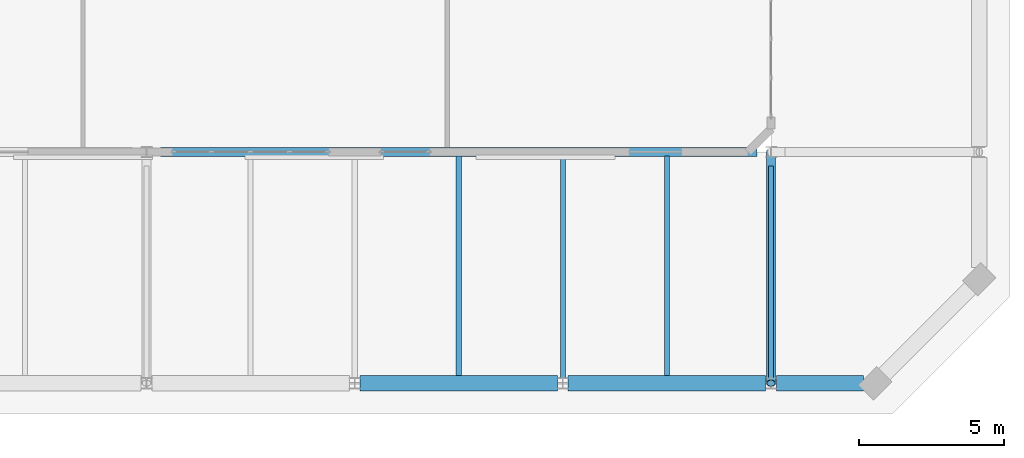
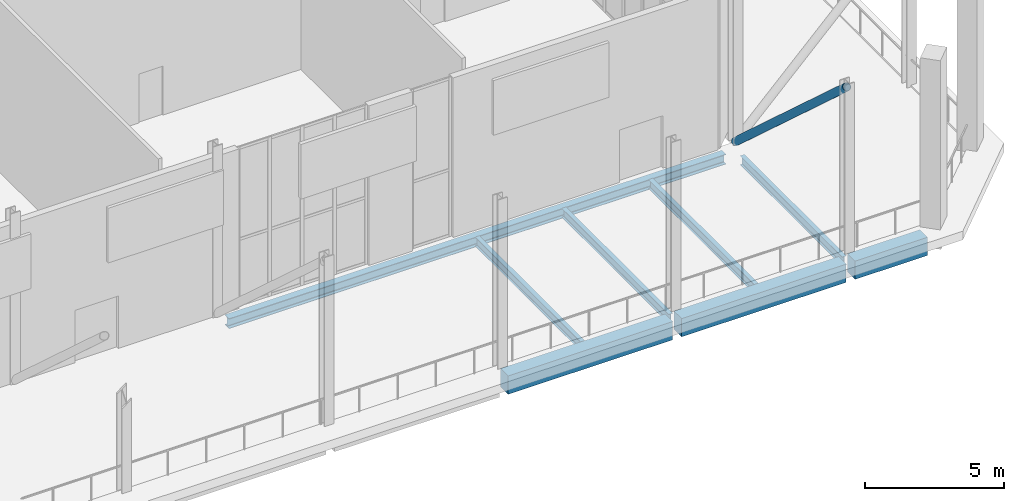
# One storey, part 15 of 23: 8 beams, 1 member.
"""IFC4 building model written with IfcOpenShell, lengths in metres."""

from ifc_helpers import new_model, si_unit, direction, frame, origin, origin_2d, place, context, subcontext, project, spatial, rectangle, hollow_circle, i_section, extrude, material, material_profile, profile_set, type_object, element, save


model = new_model("IFC4")

# Units and contexts
model_context = context("Model", 3, precision=1e-05, world=origin(), true_north=direction((0.0, 1.0)))
body_context = subcontext(model_context, "Body", "Model", "MODEL_VIEW")
ifc_project = project(units=[si_unit("LENGTHUNIT", "METRE"), si_unit("AREAUNIT", "SQUARE_METRE"), si_unit("VOLUMEUNIT", "CUBIC_METRE"), si_unit("PLANEANGLEUNIT", "RADIAN"), si_unit("MASSUNIT", "GRAM", prefix="KILO")], contexts=[model_context])

# Site, building, storey
site_placement = place(None, origin())
site = spatial("IfcSite", under=ifc_project, at=site_placement, CompositionType="ELEMENT")
building_placement = place(site_placement, origin())
building = spatial("IfcBuilding", under=site, at=building_placement, Name="Kaelvorn Grand Hotel", CompositionType="ELEMENT")
storey_placement = place(building_placement, frame((0.0, 0.0, 310.699951171875)))
storey = spatial("IfcBuildingStorey", under=building, at=storey_placement, Name="L75", CompositionType="ELEMENT", Elevation=310.699951171875)

# Beams
ifc_material_1 = material(Name="Steel S355", Category="steel")
ifc_material_profile_1 = material_profile(ifc_material_1, i_section(OverallWidth=0.300048828125, OverallDepth=0.43994140625, WebThickness=0.011474609375, FlangeThickness=0.02099609375, FilletRadius=0.027099609375, at=origin_2d()), Name="HEA 450")
ifc_profile_set_1 = profile_set([ifc_material_profile_1], Name="Steel S355")
beam_type_1 = type_object("IfcBeamType", Name="BM-G-HEA450-S355", PredefinedType="BEAM", material=ifc_profile_set_1)
beam_1_placement = place(storey_placement, frame((46.68505859375, 15.0, -0.52001953125), z_axis=(1.0, 0.0, 0.0), x_axis=(0.0, 1.0, 0.0)))
element("IfcBeam", 1, at=beam_1_placement, inside=storey, type_object=beam_type_1, Name="L75 Primary Spine Steel Girder G-15 04", PredefinedType="BEAM", context=body_context, shape_type="SweptSolid", body=[
    extrude(i_section(OverallWidth=0.300048828125, OverallDepth=0.43994140625, WebThickness=0.011474609375, FlangeThickness=0.02099609375, FilletRadius=0.027099609375, at=origin_2d()), origin(), (0.0, 0.0, 1.0), 20.6298828125),
])
ifc_material_profile_2 = material_profile(ifc_material_1, i_section(OverallWidth=0.179931640625, OverallDepth=0.39990234375, WebThickness=0.008544921875, FlangeThickness=0.013427734375, FilletRadius=0.02099609375, at=origin_2d()), Name="IPE 400")
ifc_profile_set_2 = profile_set([ifc_material_profile_2], Name="Steel S355")
beam_type_2 = type_object("IfcBeamType", Name="BM-J-IPE400-S355", PredefinedType="JOIST", material=ifc_profile_set_2)
beam_2_placement = place(storey_placement, frame((57.0, 7.260009765625, -0.5), z_axis=(0.0, 1.0, 0.0), x_axis=(-1.0, 0.0, 0.0)))
element("IfcBeam", 2, at=beam_2_placement, inside=storey, type_object=beam_type_2, Name="L75 Composite Floor Joist JS-16", PredefinedType="JOIST", context=body_context, shape_type="SweptSolid", body=[
    extrude(i_section(OverallWidth=0.179931640625, OverallDepth=0.39990234375, WebThickness=0.008544921875, FlangeThickness=0.013427734375, FilletRadius=0.02099609375, at=origin_2d()), origin(), (0.0, 0.0, 1.0), 7.60498046875),
])
beam_3_placement = place(storey_placement, frame((60.60009765625, 7.18505859375, -0.5), z_axis=(0.0, 1.0, 0.0), x_axis=(-1.0, 0.0, 0.0)))
element("IfcBeam", 3, at=beam_3_placement, inside=storey, type_object=beam_type_2, Name="L75 Composite Floor Joist JS-17", PredefinedType="JOIST", context=body_context, shape_type="SweptSolid", body=[
    extrude(i_section(OverallWidth=0.179931640625, OverallDepth=0.39990234375, WebThickness=0.008544921875, FlangeThickness=0.013427734375, FilletRadius=0.02099609375, at=origin_2d()), origin(), (0.0, 0.0, 1.0), 7.679931640625),
])
beam_4_placement = place(storey_placement, frame((64.199951171875, 7.260009765625, -0.5), z_axis=(0.0, 1.0, 0.0), x_axis=(-1.0, 0.0, 0.0)))
element("IfcBeam", 4, at=beam_4_placement, inside=storey, type_object=beam_type_2, Name="L75 Composite Floor Joist JS-18", PredefinedType="JOIST", context=body_context, shape_type="SweptSolid", body=[
    extrude(i_section(OverallWidth=0.179931640625, OverallDepth=0.39990234375, WebThickness=0.008544921875, FlangeThickness=0.013427734375, FilletRadius=0.02099609375, at=origin_2d()), origin(), (0.0, 0.0, 1.0), 7.60498046875),
])
beam_5_placement = place(storey_placement, frame((67.800048828125, 7.18505859375, -0.5), z_axis=(0.0, 1.0, 0.0), x_axis=(-1.0, 0.0, 0.0)))
element("IfcBeam", 5, at=beam_5_placement, inside=storey, type_object=beam_type_2, Name="L75 Composite Floor Joist JS-19", PredefinedType="JOIST", context=body_context, shape_type="SweptSolid", body=[
    extrude(i_section(OverallWidth=0.179931640625, OverallDepth=0.39990234375, WebThickness=0.008544921875, FlangeThickness=0.013427734375, FilletRadius=0.02099609375, at=origin_2d()), origin(), (0.0, 0.0, 1.0), 7.329833984375),
])
ifc_material_2 = material(Name="Concrete C50/60", Category="concrete")
ifc_material_profile_3 = material_profile(ifc_material_2, rectangle(XDim=0.550048828125, YDim=0.800048828125, at=origin_2d()), Name="RC SPANDREL 550x800")
ifc_profile_set_3 = profile_set([ifc_material_profile_3], Name="Concrete C50/60")
beam_type_3 = type_object("IfcBeamType", Name="BM-SP-550x800-C50", PredefinedType="SPANDREL", material=ifc_profile_set_3)
for number, where, z_axis, x_axis, name in (
    (6, (53.5849609375, 7.0, -0.699951171875), (1.0, 0.0, 0.0), (0.0, 1.0, 0.0), "L75 South Perimeter Spandrel 07"),
    (7, (60.784912109375, 7.0, -0.699951171875), (1.0, 0.0, 0.0), (0.0, 1.0, 0.0), "L75 South Perimeter Spandrel 08"),
):
    element("IfcBeam", number, at=place(storey_placement, frame(where, z_axis=z_axis, x_axis=x_axis)), inside=storey, type_object=beam_type_3, Name=name, PredefinedType="SPANDREL", context=body_context, shape_type="SweptSolid", body=[
        extrude(rectangle(XDim=0.550048828125, YDim=0.800048828125, at=origin_2d()), origin(), (0.0, 0.0, 1.0), 6.830078125),
    ])
beam_6_placement = place(storey_placement, frame((67.985107421875, 7.0, -0.699951171875), z_axis=(1.0, 0.0, 0.0), x_axis=(0.0, 1.0, 0.0)))
element("IfcBeam", 8, at=beam_6_placement, inside=storey, type_object=beam_type_3, Name="L75 South Perimeter Spandrel 09", PredefinedType="SPANDREL", context=body_context, shape_type="SweptSolid", body=[
    extrude(rectangle(XDim=0.550048828125, YDim=0.800048828125, at=origin_2d()), origin(), (0.0, 0.0, 1.0), 3.010009765625),
])

# Member
ifc_material_profile_4 = material_profile(ifc_material_1, hollow_circle(Radius=0.161865234375, WallThickness=0.01611328125, at=origin_2d()), Name="CHS 323.9x16.0")
ifc_profile_set_4 = profile_set([ifc_material_profile_4], Name="Steel S355")
member_type = type_object("IfcMemberType", Name="MB-CAN-STRUT-CHS324", PredefinedType="STRUT", material=ifc_profile_set_4)
member_placement = place(storey_placement, frame((67.800048828125, 15.0, 0.0), z_axis=(0.0, -0.740986951436, 0.671519424739), x_axis=(1.0, 0.0, 0.0)))
element("IfcMember", 9, at=member_placement, inside=storey, type_object=member_type, Name="L75 Crown Parasol Canopy Raking Strut 4", PredefinedType="STRUT", context=body_context, shape_type="SweptSolid", body=[
    extrude(hollow_circle(Radius=0.161865234375, WallThickness=0.01611328125, at=origin_2d()), origin(), (0.0, 0.0, 1.0), 10.79638671875),
])

save(model, "model.ifc")
